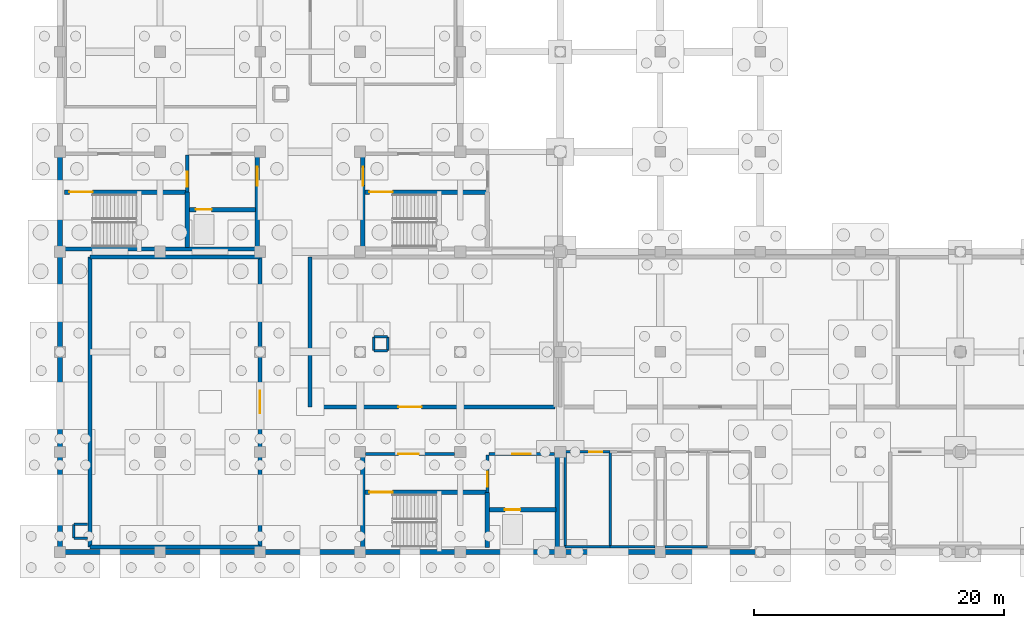
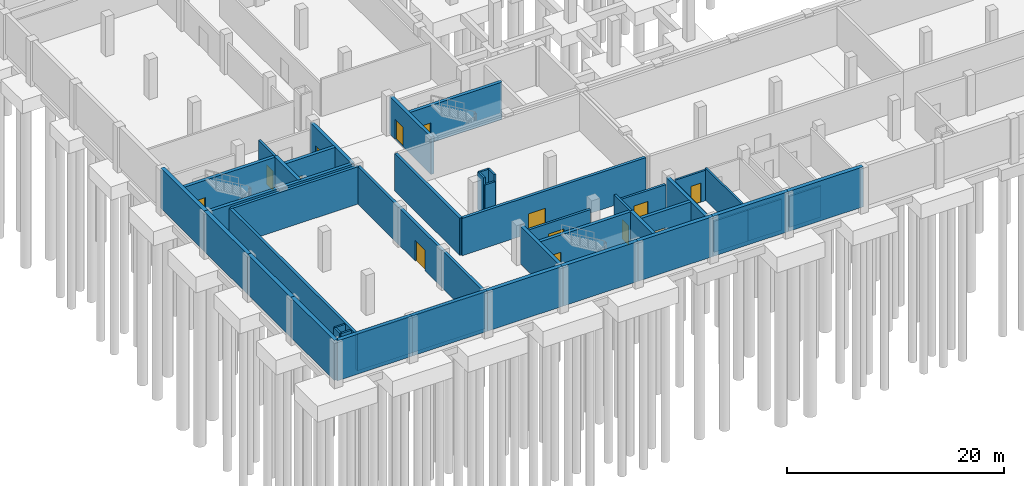
# One storey, part 12 of 26: 46 walls, 14 doors, 14 openings.
"""IFC4 building model written with IfcOpenShell, lengths in metres."""

from ifc_helpers import new_model, si_unit, direction, frame, frame_2d, origin, place, context, subcontext, project, spatial, rectangle, extrude, material, layer, layer_set, type_object, element, fill, save


model = new_model("IFC4")

# Units and contexts
model_context = context("Model", 3, precision=1e-05, world=origin(), true_north=direction((0.0, 1.0)))
body_context = subcontext(model_context, "Body", "Model", "MODEL_VIEW")
ifc_project = project(units=[si_unit("LENGTHUNIT", "METRE"), si_unit("AREAUNIT", "SQUARE_METRE"), si_unit("VOLUMEUNIT", "CUBIC_METRE"), si_unit("PLANEANGLEUNIT", "RADIAN"), si_unit("MASSUNIT", "GRAM", prefix="KILO")], contexts=[model_context])

# Site, building, storey
site_placement = place(None, origin())
site = spatial("IfcSite", under=ifc_project, at=site_placement, CompositionType="ELEMENT")
building_placement = place(site_placement, origin())
building = spatial("IfcBuilding", under=site, at=building_placement, Name="Qorikala Patio Media Centre", CompositionType="ELEMENT")
storey_placement = place(building_placement, frame((0.0, 0.0, -4.5)))
storey = spatial("IfcBuildingStorey", under=building, at=storey_placement, Name="B1", CompositionType="ELEMENT", Elevation=-4.5)

# Wall
ifc_material_1 = material(Name="Concrete C35/45", Category="concrete")
ifc_layer_1 = layer(ifc_material_1, 0.300048828125)
ifc_layer_set_1 = layer_set([ifc_layer_1], Name="Concrete C35/45")
wall_type_1 = type_object("IfcWallType", Name="WL-AC-300", PredefinedType="SHEAR", material=ifc_layer_set_1)
wall_1_placement = place(storey_placement, frame((5.39990234375, 3.39990234375, 0.0), z_axis=(0.0, 0.0, 1.0), x_axis=(1.0, 0.0, 0.0)))
element("IfcWall", 1, at=wall_1_placement, inside=storey, type_object=wall_type_1, Name="B1 Interior Wall WINT-B1-VLT1-S", PredefinedType="SHEAR", context=body_context, shape_type="SweptSolid", body=[
    extrude(rectangle(XDim=13.60009765625, YDim=0.300048828125, at=frame_2d((6.800048828125, 0.0))), origin(), (0.0, 0.0, 1.0), 4.199951171875),
])

# Wall, opening, door
wall_2_placement = place(storey_placement, frame((19.0, 3.39990234375, 0.0), z_axis=(0.0, 0.0, 1.0), x_axis=(0.0, 1.0, 0.0)))
wall_2 = element("IfcWall", 2, at=wall_2_placement, inside=storey, type_object=wall_type_1, Name="B1 Interior Wall WINT-B1-VLT1-E", PredefinedType="SHEAR", context=body_context, shape_type="SweptSolid", body=[
    extrude(rectangle(XDim=23.2001953125, YDim=0.300048828125, at=frame_2d((11.60009765625, 0.0))), origin(), (0.0, 0.0, 1.0), 4.199951171875),
])
opening_1_placement = place(wall_2_placement, frame((10.699951171875, 0.0, 0.0)))
opening_1 = element("IfcOpeningElement", 3, at=opening_1_placement, cuts=wall_2, Name="Opening D212", PredefinedType="OPENING", context=body_context, shape_type="SweptSolid", body=[
    extrude(rectangle(XDim=1.800048828125, YDim=2.300048828125, at=frame_2d((0.89990234375, 1.14990234375))), frame((0.0, 0.159912109375, 0.0), z_axis=(0.0, -1.0, 0.0), x_axis=(1.0, 0.0, 0.0)), (0.0, 0.0, 1.0), 0.320068359375),
])
ifc_material_2 = material(Name="Powder-Coated Acoustic Fire Steel", Category="steel")
door_type_1 = type_object("IfcDoorType", Name="DR-FD90-180X230", OperationType="DOUBLE_DOOR_SINGLE_SWING", PredefinedType="DOOR", material=ifc_material_2)
door_1_placement = place(opening_1_placement, origin())
door_1 = element("IfcDoor", 4, at=door_1_placement, inside=storey, type_object=door_type_1, Name="Cold Acetate Film Archive Vault Door 001", OperationType="DOUBLE_DOOR_SINGLE_SWING", OverallHeight=2.300048828125, OverallWidth=1.800048828125, PredefinedType="DOOR", context=body_context, shape_type="SweptSolid", body=[
    extrude(rectangle(XDim=1.800048828125, YDim=2.300048828125, at=frame_2d((0.89990234375, 1.14990234375))), frame((0.0, 0.02490234375, 0.0), z_axis=(0.0, -1.0, 0.0), x_axis=(1.0, 0.0, 0.0)), (0.0, 0.0, 1.0), 0.050048828125),
])
fill(opening_1, door_1)

# Walls
wall_3_placement = place(storey_placement, frame((5.39990234375, 26.60009765625, 0.0), z_axis=(0.0, 0.0, 1.0), x_axis=(1.0, 0.0, 0.0)))
element("IfcWall", 5, at=wall_3_placement, inside=storey, type_object=wall_type_1, Name="B1 Interior Wall WINT-B1-VLT1-N", PredefinedType="SHEAR", context=body_context, shape_type="SweptSolid", body=[
    extrude(rectangle(XDim=13.60009765625, YDim=0.300048828125, at=frame_2d((6.800048828125, 0.0))), origin(), (0.0, 0.0, 1.0), 4.199951171875),
])
wall_4_placement = place(storey_placement, frame((5.39990234375, 3.39990234375, 0.0), z_axis=(0.0, 0.0, 1.0), x_axis=(0.0, 1.0, 0.0)))
element("IfcWall", 6, at=wall_4_placement, inside=storey, type_object=wall_type_1, Name="B1 Interior Wall WINT-B1-VLT1-W", PredefinedType="SHEAR", context=body_context, shape_type="SweptSolid", body=[
    extrude(rectangle(XDim=23.2001953125, YDim=0.300048828125, at=frame_2d((11.60009765625, 0.0))), origin(), (0.0, 0.0, 1.0), 4.199951171875),
])

# Wall, opening, door
wall_5_placement = place(storey_placement, frame((23.0, 14.60009765625, 0.0), z_axis=(0.0, 0.0, 1.0), x_axis=(1.0, 0.0, 0.0)))
wall_5 = element("IfcWall", 7, at=wall_5_placement, inside=storey, type_object=wall_type_1, Name="B1 Interior Wall WINT-B1-VLT2-S", PredefinedType="SHEAR", context=body_context, shape_type="SweptSolid", body=[
    extrude(rectangle(XDim=19.60009765625, YDim=0.300048828125, at=frame_2d((9.800048828125, 0.0))), origin(), (0.0, 0.0, 1.0), 4.199951171875),
])
opening_2_placement = place(wall_5_placement, frame((7.06494140625, 0.0, 0.0)))
opening_2 = element("IfcOpeningElement", 8, at=opening_2_placement, cuts=wall_5, Name="Opening D213", PredefinedType="OPENING", context=body_context, shape_type="SweptSolid", body=[
    extrude(rectangle(XDim=1.85009765625, YDim=2.25, at=frame_2d((0.925048828125, 1.125))), frame((0.0, 0.159912109375, 0.0), z_axis=(0.0, -1.0, 0.0), x_axis=(1.0, 0.0, 0.0)), (0.0, 0.0, 1.0), 0.320068359375),
])
door_type_2 = type_object("IfcDoorType", Name="DR-FD60-185X225", OperationType="DOUBLE_DOOR_SINGLE_SWING", PredefinedType="DOOR", material=ifc_material_2)
door_2_placement = place(opening_2_placement, origin())
door_2 = element("IfcDoor", 9, at=door_2_placement, inside=storey, type_object=door_type_2, Name="Polyester and Magnetic Media Archive Vault Door 002", OperationType="DOUBLE_DOOR_SINGLE_SWING", OverallHeight=2.25, OverallWidth=1.85009765625, PredefinedType="DOOR", context=body_context, shape_type="SweptSolid", body=[
    extrude(rectangle(XDim=1.85009765625, YDim=2.25, at=frame_2d((0.925048828125, 1.125))), frame((0.0, 0.02490234375, 0.0), z_axis=(0.0, -1.0, 0.0), x_axis=(1.0, 0.0, 0.0)), (0.0, 0.0, 1.0), 0.050048828125),
])
fill(opening_2, door_2)

# Walls
wall_6_placement = place(storey_placement, frame((23.0, 14.60009765625, 0.0), z_axis=(0.0, 0.0, 1.0), x_axis=(0.0, 1.0, 0.0)))
element("IfcWall", 10, at=wall_6_placement, inside=storey, type_object=wall_type_1, Name="B1 Interior Wall WINT-B1-VLT2-W", PredefinedType="SHEAR", context=body_context, shape_type="SweptSolid", body=[
    extrude(rectangle(XDim=12.0, YDim=0.300048828125, at=frame_2d((6.0, 0.0))), origin(), (0.0, 0.0, 1.0), 4.199951171875),
])
ifc_layer_2 = layer(ifc_material_1, 0.35009765625)
ifc_layer_set_2 = layer_set([ifc_layer_2], Name="Concrete C35/45")
wall_type_2 = type_object("IfcWallType", Name="WL-CORE-350", PredefinedType="SHEAR", material=ifc_layer_set_2)
wall_7_placement = place(storey_placement, frame((27.22509765625, 3.199951171875, 0.0), z_axis=(0.0, 0.0, 1.0), x_axis=(0.0, 1.0, 0.0)))
element("IfcWall", 11, at=wall_7_placement, inside=storey, type_object=wall_type_2, Name="B1 Interior Wall CW-B1-C1-SW", PredefinedType="SHEAR", context=body_context, shape_type="SweptSolid", body=[
    extrude(rectangle(XDim=7.60009765625, YDim=0.35009765625, at=frame_2d((3.800048828125, 0.0))), origin(), (0.0, 0.0, 1.0), 4.199951171875),
])
wall_8_placement = place(storey_placement, frame((37.175048828125, 3.35009765625, 0.0), z_axis=(0.0, 0.0, 1.0), x_axis=(0.0, 1.0, 0.0)))
element("IfcWall", 12, at=wall_8_placement, inside=storey, type_object=wall_type_2, Name="B1 Interior Wall CW-B1-C1-SE", PredefinedType="SHEAR", context=body_context, shape_type="SweptSolid", body=[
    extrude(rectangle(XDim=4.4248046875, YDim=0.35009765625, at=frame_2d((2.21240234375, 0.0))), origin(), (0.0, 0.0, 1.0), 4.199951171875),
])
wall_9_placement = place(storey_placement, frame((42.77490234375, 3.199951171875, 0.0), z_axis=(0.0, 0.0, 1.0), x_axis=(0.0, 1.0, 0.0)))
element("IfcWall", 13, at=wall_9_placement, inside=storey, type_object=wall_type_2, Name="B1 Interior Wall CW-B1-C1-EE", PredefinedType="SHEAR", context=body_context, shape_type="SweptSolid", body=[
    extrude(rectangle(XDim=7.60009765625, YDim=0.35009765625, at=frame_2d((3.800048828125, 0.0))), origin(), (0.0, 0.0, 1.0), 4.199951171875),
])

# Wall, opening, door
wall_10_placement = place(storey_placement, frame((27.35009765625, 7.77490234375, 0.0), z_axis=(0.0, 0.0, 1.0), x_axis=(1.0, 0.0, 0.0)))
wall_10 = element("IfcWall", 14, at=wall_10_placement, inside=storey, type_object=wall_type_2, Name="B1 Interior Wall CW-B1-C1-SN", PredefinedType="SHEAR", context=body_context, shape_type="SweptSolid", body=[
    extrude(rectangle(XDim=9.824951171875, YDim=0.35009765625, at=frame_2d((4.91259765625, 0.0))), origin(), (0.0, 0.0, 1.0), 4.199951171875),
])
opening_3_placement = place(wall_10_placement, frame((0.39990234375, 0.0, 0.0)))
opening_3 = element("IfcOpeningElement", 15, at=opening_3_placement, cuts=wall_10, Name="Opening D023", PredefinedType="OPENING", context=body_context, shape_type="SweptSolid", body=[
    extrude(rectangle(XDim=1.85009765625, YDim=2.25, at=frame_2d((0.925048828125, 1.125))), frame((0.0, 0.18505859375, 0.0), z_axis=(0.0, -1.0, 0.0), x_axis=(1.0, 0.0, 0.0)), (0.0, 0.0, 1.0), 0.3701171875),
])
door_3_placement = place(opening_3_placement, origin())
door_3 = element("IfcDoor", 16, at=door_3_placement, inside=storey, type_object=door_type_2, Name="B1 Stair ST-1 Fire Door", OperationType="DOUBLE_DOOR_SINGLE_SWING", OverallHeight=2.25, OverallWidth=1.85009765625, PredefinedType="DOOR", context=body_context, shape_type="SweptSolid", body=[
    extrude(rectangle(XDim=1.85009765625, YDim=2.25, at=frame_2d((0.925048828125, 1.125))), frame((0.0, 0.02490234375, 0.0), z_axis=(0.0, -1.0, 0.0), x_axis=(1.0, 0.0, 0.0)), (0.0, 0.0, 1.0), 0.050048828125),
])
fill(opening_3, door_3)

wall_11_placement = place(storey_placement, frame((37.175048828125, 6.375, 0.0), z_axis=(0.0, 0.0, 1.0), x_axis=(1.0, 0.0, 0.0)))
wall_11 = element("IfcWall", 17, at=wall_11_placement, inside=storey, type_object=wall_type_2, Name="B1 Interior Wall CW-B1-C1-LFN", PredefinedType="SHEAR", context=body_context, shape_type="SweptSolid", body=[
    extrude(rectangle(XDim=5.474853515625, YDim=0.35009765625, at=frame_2d((2.7373046875, 0.0))), origin(), (0.0, 0.0, 1.0), 4.199951171875),
])
opening_4_placement = place(wall_11_placement, frame((1.39990234375, 0.0, 0.0)))
opening_4 = element("IfcOpeningElement", 18, at=opening_4_placement, cuts=wall_11, Name="Opening LD01", PredefinedType="OPENING", context=body_context, shape_type="SweptSolid", body=[
    extrude(rectangle(XDim=1.25, YDim=2.25, at=frame_2d((0.625, 1.125))), frame((0.0, 0.18505859375, 0.0), z_axis=(0.0, -1.0, 0.0), x_axis=(1.0, 0.0, 0.0)), (0.0, 0.0, 1.0), 0.3701171875),
])
ifc_material_3 = material(Name="Brushed Bronze Stainless Steel", Category="steel")
door_type_3 = type_object("IfcDoorType", Name="DR-LD-125X225", OperationType="DOUBLE_DOOR_SLIDING", PredefinedType="DOOR", material=ifc_material_3)
door_4_placement = place(opening_4_placement, origin())
door_4 = element("IfcDoor", 19, at=door_4_placement, inside=storey, type_object=door_type_3, Name="B1 Lift LF-01 Sliding Landing Door", OperationType="DOUBLE_DOOR_SLIDING", OverallHeight=2.25, OverallWidth=1.25, PredefinedType="DOOR", context=body_context, shape_type="SweptSolid", body=[
    extrude(rectangle(XDim=1.25, YDim=2.25, at=frame_2d((0.625, 1.125))), frame((0.0, 0.02490234375, 0.0), z_axis=(0.0, -1.0, 0.0), x_axis=(1.0, 0.0, 0.0)), (0.0, 0.0, 1.0), 0.050048828125),
])
fill(opening_4, door_4)

# Walls
wall_12_placement = place(storey_placement, frame((3.199951171875, 27.22509765625, 0.0), z_axis=(0.0, 0.0, 1.0), x_axis=(1.0, 0.0, 0.0)))
element("IfcWall", 20, at=wall_12_placement, inside=storey, type_object=wall_type_2, Name="B1 Core C2 Stair South Wall", PredefinedType="SHEAR", context=body_context, shape_type="SweptSolid", body=[
    extrude(rectangle(XDim=15.60009765625, YDim=0.35009765625, at=frame_2d((7.800048828125, 0.0))), origin(), (0.0, 0.0, 1.0), 4.199951171875),
])
wall_13_placement = place(storey_placement, frame((13.175048828125, 27.35009765625, 0.0), z_axis=(0.0, 0.0, 1.0), x_axis=(0.0, 1.0, 0.0)))
element("IfcWall", 21, at=wall_13_placement, inside=storey, type_object=wall_type_2, Name="B1 Interior Wall CW-B1-C2-SE", PredefinedType="SHEAR", context=body_context, shape_type="SweptSolid", body=[
    extrude(rectangle(XDim=4.4248046875, YDim=0.35009765625, at=frame_2d((2.21240234375, 0.0))), origin(), (0.0, 0.0, 1.0), 4.199951171875),
])

# Wall, opening, door
wall_14_placement = place(storey_placement, frame((18.77490234375, 27.199951171875, 0.0), z_axis=(0.0, 0.0, 1.0), x_axis=(0.0, 1.0, 0.0)))
wall_14 = element("IfcWall", 22, at=wall_14_placement, inside=storey, type_object=wall_type_2, Name="B1 Interior Wall CW-B1-C2-EE", PredefinedType="SHEAR", context=body_context, shape_type="SweptSolid", body=[
    extrude(rectangle(XDim=7.60009765625, YDim=0.35009765625, at=frame_2d((3.800048828125, 0.0))), origin(), (0.0, 0.0, 1.0), 4.199951171875),
])
opening_5_placement = place(wall_14_placement, frame((5.10009765625, 0.0, 0.0)))
opening_5 = element("IfcOpeningElement", 23, at=opening_5_placement, cuts=wall_14, Name="Opening D059", PredefinedType="OPENING", context=body_context, shape_type="SweptSolid", body=[
    extrude(rectangle(XDim=1.5, YDim=2.199951171875, at=frame_2d((0.75, 1.10009765625))), frame((0.0, 0.18505859375, 0.0), z_axis=(0.0, -1.0, 0.0), x_axis=(1.0, 0.0, 0.0)), (0.0, 0.0, 1.0), 0.3701171875),
])
door_type_4 = type_object("IfcDoorType", Name="DR-FD60-150X220", OperationType="DOUBLE_DOOR_SINGLE_SWING", PredefinedType="DOOR", material=ifc_material_2)
door_5_placement = place(opening_5_placement, origin())
door_5 = element("IfcDoor", 24, at=door_5_placement, inside=storey, type_object=door_type_4, Name="B1 Core C2 East Corridor Fire Door", OperationType="DOUBLE_DOOR_SINGLE_SWING", OverallHeight=2.199951171875, OverallWidth=1.5, PredefinedType="DOOR", context=body_context, shape_type="SweptSolid", body=[
    extrude(rectangle(XDim=1.5, YDim=2.199951171875, at=frame_2d((0.75, 1.10009765625))), frame((0.0, 0.02490234375, 0.0), z_axis=(0.0, -1.0, 0.0), x_axis=(1.0, 0.0, 0.0)), (0.0, 0.0, 1.0), 0.050048828125),
])
fill(opening_5, door_5)

wall_15_placement = place(storey_placement, frame((3.35009765625, 31.77490234375, 0.0), z_axis=(0.0, 0.0, 1.0), x_axis=(1.0, 0.0, 0.0)))
wall_15 = element("IfcWall", 25, at=wall_15_placement, inside=storey, type_object=wall_type_2, Name="B1 Interior Wall CW-B1-C2-SN", PredefinedType="SHEAR", context=body_context, shape_type="SweptSolid", body=[
    extrude(rectangle(XDim=9.824951171875, YDim=0.35009765625, at=frame_2d((4.91259765625, 0.0))), origin(), (0.0, 0.0, 1.0), 4.199951171875),
])
opening_6_placement = place(wall_15_placement, frame((0.39990234375, 0.0, 0.0)))
opening_6 = element("IfcOpeningElement", 26, at=opening_6_placement, cuts=wall_15, Name="Opening D055", PredefinedType="OPENING", context=body_context, shape_type="SweptSolid", body=[
    extrude(rectangle(XDim=1.85009765625, YDim=2.25, at=frame_2d((0.925048828125, 1.125))), frame((0.0, 0.18505859375, 0.0), z_axis=(0.0, -1.0, 0.0), x_axis=(1.0, 0.0, 0.0)), (0.0, 0.0, 1.0), 0.3701171875),
])
door_6_placement = place(opening_6_placement, origin())
door_6 = element("IfcDoor", 27, at=door_6_placement, inside=storey, type_object=door_type_2, Name="B1 Stair ST-2 Fire Door", OperationType="DOUBLE_DOOR_SINGLE_SWING", OverallHeight=2.25, OverallWidth=1.85009765625, PredefinedType="DOOR", context=body_context, shape_type="SweptSolid", body=[
    extrude(rectangle(XDim=1.85009765625, YDim=2.25, at=frame_2d((0.925048828125, 1.125))), frame((0.0, 0.02490234375, 0.0), z_axis=(0.0, -1.0, 0.0), x_axis=(1.0, 0.0, 0.0)), (0.0, 0.0, 1.0), 0.050048828125),
])
fill(opening_6, door_6)

wall_16_placement = place(storey_placement, frame((13.175048828125, 30.375, 0.0), z_axis=(0.0, 0.0, 1.0), x_axis=(1.0, 0.0, 0.0)))
wall_16 = element("IfcWall", 28, at=wall_16_placement, inside=storey, type_object=wall_type_2, Name="B1 Interior Wall CW-B1-C2-LFN", PredefinedType="SHEAR", context=body_context, shape_type="SweptSolid", body=[
    extrude(rectangle(XDim=5.474853515625, YDim=0.35009765625, at=frame_2d((2.7373046875, 0.0))), origin(), (0.0, 0.0, 1.0), 4.199951171875),
])
opening_7_placement = place(wall_16_placement, frame((0.699951171875, 0.0, 0.0)))
opening_7 = element("IfcOpeningElement", 29, at=opening_7_placement, cuts=wall_16, Name="Opening LD09", PredefinedType="OPENING", context=body_context, shape_type="SweptSolid", body=[
    extrude(rectangle(XDim=1.25, YDim=2.25, at=frame_2d((0.625, 1.125))), frame((0.0, 0.18505859375, 0.0), z_axis=(0.0, -1.0, 0.0), x_axis=(1.0, 0.0, 0.0)), (0.0, 0.0, 1.0), 0.3701171875),
])
door_7_placement = place(opening_7_placement, origin())
door_7 = element("IfcDoor", 30, at=door_7_placement, inside=storey, type_object=door_type_3, Name="B1 Lift LF-02 Sliding Landing Door", OperationType="DOUBLE_DOOR_SLIDING", OverallHeight=2.25, OverallWidth=1.25, PredefinedType="DOOR", context=body_context, shape_type="SweptSolid", body=[
    extrude(rectangle(XDim=1.25, YDim=2.25, at=frame_2d((0.625, 1.125))), frame((0.0, 0.02490234375, 0.0), z_axis=(0.0, -1.0, 0.0), x_axis=(1.0, 0.0, 0.0)), (0.0, 0.0, 1.0), 0.050048828125),
])
fill(opening_7, door_7)

wall_17_placement = place(storey_placement, frame((27.22509765625, 27.199951171875, 0.0), z_axis=(0.0, 0.0, 1.0), x_axis=(0.0, 1.0, 0.0)))
wall_17 = element("IfcWall", 31, at=wall_17_placement, inside=storey, type_object=wall_type_2, Name="B1 Interior Wall CW-B1-C5-SW", PredefinedType="SHEAR", context=body_context, shape_type="SweptSolid", body=[
    extrude(rectangle(XDim=7.60009765625, YDim=0.35009765625, at=frame_2d((3.800048828125, 0.0))), origin(), (0.0, 0.0, 1.0), 4.199951171875),
])
opening_8_placement = place(wall_17_placement, frame((5.10009765625, 0.0, 0.0)))
opening_8 = element("IfcOpeningElement", 32, at=opening_8_placement, cuts=wall_17, Name="Opening D146", PredefinedType="OPENING", context=body_context, shape_type="SweptSolid", body=[
    extrude(rectangle(XDim=1.5, YDim=2.199951171875, at=frame_2d((0.75, 1.10009765625))), frame((0.0, 0.18505859375, 0.0), z_axis=(0.0, -1.0, 0.0), x_axis=(1.0, 0.0, 0.0)), (0.0, 0.0, 1.0), 0.3701171875),
])
door_8_placement = place(opening_8_placement, origin())
door_8 = element("IfcDoor", 33, at=door_8_placement, inside=storey, type_object=door_type_4, Name="B1 Core C5 West Corridor Fire Door", OperationType="DOUBLE_DOOR_SINGLE_SWING", OverallHeight=2.199951171875, OverallWidth=1.5, PredefinedType="DOOR", context=body_context, shape_type="SweptSolid", body=[
    extrude(rectangle(XDim=1.5, YDim=2.199951171875, at=frame_2d((0.75, 1.10009765625))), frame((0.0, 0.02490234375, 0.0), z_axis=(0.0, -1.0, 0.0), x_axis=(1.0, 0.0, 0.0)), (0.0, 0.0, 1.0), 0.050048828125),
])
fill(opening_8, door_8)

wall_18_placement = place(storey_placement, frame((27.35009765625, 31.77490234375, 0.0), z_axis=(0.0, 0.0, 1.0), x_axis=(1.0, 0.0, 0.0)))
wall_18 = element("IfcWall", 34, at=wall_18_placement, inside=storey, type_object=wall_type_2, Name="B1 Interior Wall CW-B1-C5-SN", PredefinedType="SHEAR", context=body_context, shape_type="SweptSolid", body=[
    extrude(rectangle(XDim=9.824951171875, YDim=0.35009765625, at=frame_2d((4.91259765625, 0.0))), origin(), (0.0, 0.0, 1.0), 4.199951171875),
])
opening_9_placement = place(wall_18_placement, frame((0.39990234375, 0.0, 0.0)))
opening_9 = element("IfcOpeningElement", 35, at=opening_9_placement, cuts=wall_18, Name="Opening D143", PredefinedType="OPENING", context=body_context, shape_type="SweptSolid", body=[
    extrude(rectangle(XDim=1.85009765625, YDim=2.25, at=frame_2d((0.925048828125, 1.125))), frame((0.0, 0.18505859375, 0.0), z_axis=(0.0, -1.0, 0.0), x_axis=(1.0, 0.0, 0.0)), (0.0, 0.0, 1.0), 0.3701171875),
])
door_9_placement = place(opening_9_placement, origin())
door_9 = element("IfcDoor", 36, at=door_9_placement, inside=storey, type_object=door_type_2, Name="B1 Stair ST-5 Fire Door", OperationType="DOUBLE_DOOR_SINGLE_SWING", OverallHeight=2.25, OverallWidth=1.85009765625, PredefinedType="DOOR", context=body_context, shape_type="SweptSolid", body=[
    extrude(rectangle(XDim=1.85009765625, YDim=2.25, at=frame_2d((0.925048828125, 1.125))), frame((0.0, 0.02490234375, 0.0), z_axis=(0.0, -1.0, 0.0), x_axis=(1.0, 0.0, 0.0)), (0.0, 0.0, 1.0), 0.050048828125),
])
fill(opening_9, door_9)

ifc_layer_3 = layer(ifc_material_1, 0.25)
ifc_layer_set_3 = layer_set([ifc_layer_3], Name="Concrete C35/45")
wall_type_3 = type_object("IfcWallType", Name="WL-FFL-250", PredefinedType="PARTITIONING", material=ifc_layer_set_3)
wall_19_placement = place(storey_placement, frame((37.175048828125, 7.77490234375, 0.0), z_axis=(0.0, 0.0, 1.0), x_axis=(0.0, 1.0, 0.0)))
wall_19 = element("IfcWall", 37, at=wall_19_placement, inside=storey, type_object=wall_type_3, Name="B1 Interior Wall CW-B1-C1-LBD", PredefinedType="PARTITIONING", context=body_context, shape_type="SweptSolid", body=[
    extrude(rectangle(XDim=2.97509765625, YDim=0.25, at=frame_2d((1.487548828125, 0.0))), origin(), (0.0, 0.0, 1.0), 4.199951171875),
])
opening_10_placement = place(wall_19_placement, frame((0.449951171875, 0.0, 0.0)))
opening_10 = element("IfcOpeningElement", 38, at=opening_10_placement, cuts=wall_19, Name="Opening D024", PredefinedType="OPENING", context=body_context, shape_type="SweptSolid", body=[
    extrude(rectangle(XDim=1.199951171875, YDim=2.199951171875, at=frame_2d((0.60009765625, 1.10009765625))), frame((0.0, 0.135009765625, 0.0), z_axis=(0.0, -1.0, 0.0), x_axis=(1.0, 0.0, 0.0)), (0.0, 0.0, 1.0), 0.27001953125),
])
ifc_material_4 = material(Name="Acoustic Fire Timber and Steel", Category="steel")
door_type_5 = type_object("IfcDoorType", Name="DR-FD60-120X220", OperationType="NOTDEFINED", PredefinedType="DOOR", material=ifc_material_4)
door_10_placement = place(opening_10_placement, origin())
door_10 = element("IfcDoor", 39, at=door_10_placement, inside=storey, type_object=door_type_5, Name="B1 Core C1 Firefighting Lobby Cross Door", OperationType="SINGLE_SWING_LEFT", OverallHeight=2.199951171875, OverallWidth=1.199951171875, PredefinedType="DOOR", context=body_context, shape_type="SweptSolid", body=[
    extrude(rectangle(XDim=1.199951171875, YDim=2.199951171875, at=frame_2d((0.60009765625, 1.10009765625))), frame((0.0, 0.02490234375, 0.0), z_axis=(0.0, -1.0, 0.0), x_axis=(1.0, 0.0, 0.0)), (0.0, 0.0, 1.0), 0.050048828125),
])
fill(opening_10, door_10)

wall_20_placement = place(storey_placement, frame((27.449951171875, 10.85009765625, 0.0), z_axis=(0.0, 0.0, 1.0), x_axis=(1.0, 0.0, 0.0)))
wall_20 = element("IfcWall", 40, at=wall_20_placement, inside=storey, type_object=wall_type_3, Name="B1 Interior Wall CW-B1-C1-CN1", PredefinedType="PARTITIONING", context=body_context, shape_type="SweptSolid", body=[
    extrude(rectangle(XDim=7.10009765625, YDim=0.25, at=frame_2d((3.550048828125, 0.0))), origin(), (0.0, 0.0, 1.0), 3.43505859375),
])
opening_11_placement = place(wall_20_placement, frame((2.60009765625, 0.0, 0.0)))
opening_11 = element("IfcOpeningElement", 41, at=opening_11_placement, cuts=wall_20, Name="Opening D025", PredefinedType="OPENING", context=body_context, shape_type="SweptSolid", body=[
    extrude(rectangle(XDim=1.64990234375, YDim=2.25, at=frame_2d((0.824951171875, 1.125))), frame((0.0, 0.135009765625, 0.0), z_axis=(0.0, -1.0, 0.0), x_axis=(1.0, 0.0, 0.0)), (0.0, 0.0, 1.0), 0.27001953125),
])
door_type_6 = type_object("IfcDoorType", Name="DR-FD60-165X225", OperationType="DOUBLE_DOOR_SINGLE_SWING", PredefinedType="DOOR", material=ifc_material_2)
door_11_placement = place(opening_11_placement, frame((1.64990234375, 0.0, 0.0), z_axis=(0.0, 0.0, 1.0), x_axis=(-1.0, 0.0, 0.0)))
door_11 = element("IfcDoor", 42, at=door_11_placement, inside=storey, type_object=door_type_6, Name="B1 Core C1 Vestibule Door", OperationType="DOUBLE_DOOR_SINGLE_SWING", OverallHeight=2.25, OverallWidth=1.64990234375, PredefinedType="DOOR", context=body_context, shape_type="SweptSolid", body=[
    extrude(rectangle(XDim=1.64990234375, YDim=2.25, at=frame_2d((0.824951171875, 1.125))), frame((0.0, 0.02490234375, 0.0), z_axis=(0.0, -1.0, 0.0), x_axis=(1.0, 0.0, 0.0)), (0.0, 0.0, 1.0), 0.050048828125),
])
fill(opening_11, door_11)

wall_21_placement = place(storey_placement, frame((37.300048828125, 10.85009765625, 0.0), z_axis=(0.0, 0.0, 1.0), x_axis=(1.0, 0.0, 0.0)))
wall_21 = element("IfcWall", 43, at=wall_21_placement, inside=storey, type_object=wall_type_3, Name="B1 Interior Wall CW-B1-C1-CN2", PredefinedType="PARTITIONING", context=body_context, shape_type="SweptSolid", body=[
    extrude(rectangle(XDim=5.25, YDim=0.25, at=frame_2d((2.625, 0.0))), origin(), (0.0, 0.0, 1.0), 3.43505859375),
])
opening_12_placement = place(wall_21_placement, frame((1.85009765625, 0.0, 0.0)))
opening_12 = element("IfcOpeningElement", 44, at=opening_12_placement, cuts=wall_21, Name="Opening D026", PredefinedType="OPENING", context=body_context, shape_type="SweptSolid", body=[
    extrude(rectangle(XDim=1.5, YDim=2.199951171875, at=frame_2d((0.75, 1.10009765625))), frame((0.0, 0.135009765625, 0.0), z_axis=(0.0, -1.0, 0.0), x_axis=(1.0, 0.0, 0.0)), (0.0, 0.0, 1.0), 0.27001953125),
])
door_12_placement = place(opening_12_placement, origin())
door_12 = element("IfcDoor", 45, at=door_12_placement, inside=storey, type_object=door_type_4, Name="B1 Core C1 Firefighting Lobby Door", OperationType="DOUBLE_DOOR_SINGLE_SWING", OverallHeight=2.199951171875, OverallWidth=1.5, PredefinedType="DOOR", context=body_context, shape_type="SweptSolid", body=[
    extrude(rectangle(XDim=1.5, YDim=2.199951171875, at=frame_2d((0.75, 1.10009765625))), frame((0.0, 0.02490234375, 0.0), z_axis=(0.0, -1.0, 0.0), x_axis=(1.0, 0.0, 0.0)), (0.0, 0.0, 1.0), 0.050048828125),
])
fill(opening_12, door_12)

wall_22_placement = place(storey_placement, frame((13.175048828125, 31.77490234375, 0.0), z_axis=(0.0, 0.0, 1.0), x_axis=(0.0, 1.0, 0.0)))
wall_22 = element("IfcWall", 46, at=wall_22_placement, inside=storey, type_object=wall_type_3, Name="B1 Interior Wall CW-B1-C2-LBD", PredefinedType="PARTITIONING", context=body_context, shape_type="SweptSolid", body=[
    extrude(rectangle(XDim=2.97509765625, YDim=0.25, at=frame_2d((1.487548828125, 0.0))), origin(), (0.0, 0.0, 1.0), 4.199951171875),
])
opening_13_placement = place(wall_22_placement, frame((0.449951171875, 0.0, 0.0)))
opening_13 = element("IfcOpeningElement", 47, at=opening_13_placement, cuts=wall_22, Name="Opening D056", PredefinedType="OPENING", context=body_context, shape_type="SweptSolid", body=[
    extrude(rectangle(XDim=1.199951171875, YDim=2.199951171875, at=frame_2d((0.60009765625, 1.10009765625))), frame((0.0, 0.135009765625, 0.0), z_axis=(0.0, -1.0, 0.0), x_axis=(1.0, 0.0, 0.0)), (0.0, 0.0, 1.0), 0.27001953125),
])
door_13_placement = place(opening_13_placement, origin())
door_13 = element("IfcDoor", 48, at=door_13_placement, inside=storey, type_object=door_type_5, Name="B1 Core C2 Firefighting Lobby Cross Door", OperationType="SINGLE_SWING_LEFT", OverallHeight=2.199951171875, OverallWidth=1.199951171875, PredefinedType="DOOR", context=body_context, shape_type="SweptSolid", body=[
    extrude(rectangle(XDim=1.199951171875, YDim=2.199951171875, at=frame_2d((0.60009765625, 1.10009765625))), frame((0.0, 0.02490234375, 0.0), z_axis=(0.0, -1.0, 0.0), x_axis=(1.0, 0.0, 0.0)), (0.0, 0.0, 1.0), 0.050048828125),
])
fill(opening_13, door_13)

# Walls
ifc_material_5 = material(Name="Concrete C30/37", Category="concrete")
ifc_layer_4 = layer(ifc_material_5, 0.419921875)
ifc_layer_set_4 = layer_set([ifc_layer_4], Name="Concrete C30/37")
wall_type_4 = type_object("IfcWallType", Name="WL-RET-420", PredefinedType="USERDEFINED", material=ifc_layer_set_4)
for number, where, z_axis, x_axis, name in (
    (49, (59.0, 3.0, 0.0), (0.0, 0.0, 1.0), (-1.0, 0.0, 0.0), "B1 Perimeter Retaining Wall WL-B1-RET-029"),
    (50, (51.0, 3.0, 0.0), (0.0, 0.0, 1.0), (-1.0, 0.0, 0.0), "B1 Perimeter Retaining Wall WL-B1-RET-030"),
    (51, (43.0, 3.0, 0.0), (0.0, 0.0, 1.0), (-1.0, 0.0, 0.0), "B1 Perimeter Retaining Wall WL-B1-RET-031"),
    (52, (35.0, 3.0, 0.0), (0.0, 0.0, 1.0), (-1.0, 0.0, 0.0), "B1 Perimeter Retaining Wall WL-B1-RET-032"),
    (53, (27.0, 3.0, 0.0), (0.0, 0.0, 1.0), (-1.0, 0.0, 0.0), "B1 Perimeter Retaining Wall WL-B1-RET-033"),
    (54, (19.0, 3.0, 0.0), (0.0, 0.0, 1.0), (-1.0, 0.0, 0.0), "B1 Perimeter Retaining Wall WL-B1-RET-034"),
    (55, (11.0, 3.0, 0.0), (0.0, 0.0, 1.0), (-1.0, 0.0, 0.0), "B1 Perimeter Retaining Wall WL-B1-RET-035"),
    (56, (3.0, 3.0, 0.0), (0.0, 0.0, 1.0), (0.0, 1.0, 0.0), "B1 Perimeter Retaining Wall WL-B1-RET-036"),
    (57, (3.0, 11.0, 0.0), (0.0, 0.0, 1.0), (0.0, 1.0, 0.0), "B1 Perimeter Retaining Wall WL-B1-RET-037"),
    (58, (3.0, 19.0, 0.0), (0.0, 0.0, 1.0), (0.0, 1.0, 0.0), "B1 Perimeter Retaining Wall WL-B1-RET-038"),
    (59, (3.0, 27.0, 0.0), (0.0, 0.0, 1.0), (0.0, 1.0, 0.0), "B1 Perimeter Retaining Wall WL-B1-RET-039"),
):
    element("IfcWall", number, at=place(storey_placement, frame(where, z_axis=z_axis, x_axis=x_axis)), inside=storey, type_object=wall_type_4, Name=name, ObjectType="RETAINING WALL", PredefinedType="USERDEFINED", context=body_context, shape_type="SweptSolid", body=[
        extrude(rectangle(XDim=8.0, YDim=0.419921875, at=frame_2d((4.0, 0.0))), origin(), (0.0, 0.0, 1.0), 4.5),
    ])
ifc_material_6 = material(Name="Acoustic Masonry and Plaster Concrete C30/37", Category="masonry")
ifc_layer_5 = layer(ifc_material_6, 0.199951171875)
ifc_layer_set_5 = layer_set([ifc_layer_5], Name="Acoustic Masonry and Plaster Concrete C30/37")
wall_type_5 = type_object("IfcWallType", Name="WL-ST-200", PredefinedType="PARTITIONING", material=ifc_layer_set_5)
wall_23_placement = place(storey_placement, frame((43.39990234375, 3.39990234375, 0.0), z_axis=(0.0, 0.0, 1.0), x_axis=(1.0, 0.0, 0.0)))
element("IfcWall", 60, at=wall_23_placement, inside=storey, type_object=wall_type_5, Name="B1 Interior Wall WINT-B1-B1WMWC-S", PredefinedType="PARTITIONING", context=body_context, shape_type="SweptSolid", body=[
    extrude(rectangle(XDim=3.60009765625, YDim=0.199951171875, at=frame_2d((1.800048828125, 0.0))), origin(), (0.0, 0.0, 1.0), 3.5048828125),
])
wall_24_placement = place(storey_placement, frame((47.0, 3.39990234375, 0.0), z_axis=(0.0, 0.0, 1.0), x_axis=(0.0, 1.0, 0.0)))
element("IfcWall", 61, at=wall_24_placement, inside=storey, type_object=wall_type_5, Name="B1 Interior Wall WINT-B1-B1WMWC-E", PredefinedType="PARTITIONING", context=body_context, shape_type="SweptSolid", body=[
    extrude(rectangle(XDim=7.60009765625, YDim=0.199951171875, at=frame_2d((3.800048828125, 0.0))), origin(), (0.0, 0.0, 1.0), 3.635009765625),
])

# Wall, opening, door
wall_25_placement = place(storey_placement, frame((43.39990234375, 11.0, 0.0), z_axis=(0.0, 0.0, 1.0), x_axis=(1.0, 0.0, 0.0)))
wall_25 = element("IfcWall", 62, at=wall_25_placement, inside=storey, type_object=wall_type_5, Name="B1 Interior Wall WINT-B1-B1WMWC-N", PredefinedType="PARTITIONING", context=body_context, shape_type="SweptSolid", body=[
    extrude(rectangle(XDim=3.60009765625, YDim=0.199951171875, at=frame_2d((1.800048828125, 0.0))), origin(), (0.0, 0.0, 1.0), 3.43505859375),
])
opening_14_placement = place(wall_25_placement, frame((1.925048828125, 0.0, 0.0)))
opening_14 = element("IfcOpeningElement", 63, at=opening_14_placement, cuts=wall_25, Name="Opening D216", PredefinedType="OPENING", context=body_context, shape_type="SweptSolid", body=[
    extrude(rectangle(XDim=1.050048828125, YDim=2.159912109375, at=frame_2d((0.52490234375, 1.080078125))), frame((0.0, 0.10986328125, 0.0), z_axis=(0.0, -1.0, 0.0), x_axis=(1.0, 0.0, 0.0)), (0.0, 0.0, 1.0), 0.219970703125),
])
door_type_7 = type_object("IfcDoorType", Name="DR-FD60-105X216", OperationType="NOTDEFINED", PredefinedType="DOOR", material=ifc_material_4)
door_14_placement = place(opening_14_placement, origin())
door_14 = element("IfcDoor", 64, at=door_14_placement, inside=storey, type_object=door_type_7, Name="Male Toilet Door 005", OperationType="SINGLE_SWING_RIGHT", OverallHeight=2.159912109375, OverallWidth=1.050048828125, PredefinedType="DOOR", context=body_context, shape_type="SweptSolid", body=[
    extrude(rectangle(XDim=1.050048828125, YDim=2.159912109375, at=frame_2d((0.52490234375, 1.080078125))), frame((0.0, 0.02490234375, 0.0), z_axis=(0.0, -1.0, 0.0), x_axis=(1.0, 0.0, 0.0)), (0.0, 0.0, 1.0), 0.050048828125),
])
fill(opening_14, door_14)

# Walls
wall_26_placement = place(storey_placement, frame((43.39990234375, 3.39990234375, 0.0), z_axis=(0.0, 0.0, 1.0), x_axis=(0.0, 1.0, 0.0)))
element("IfcWall", 65, at=wall_26_placement, inside=storey, type_object=wall_type_5, Name="B1 Interior Wall WINT-B1-B1WMWC-W", PredefinedType="PARTITIONING", context=body_context, shape_type="SweptSolid", body=[
    extrude(rectangle(XDim=7.60009765625, YDim=0.199951171875, at=frame_2d((3.800048828125, 0.0))), origin(), (0.0, 0.0, 1.0), 3.485107421875),
])
wall_27_placement = place(storey_placement, frame((47.0, 3.39990234375, 0.0), z_axis=(0.0, 0.0, 1.0), x_axis=(1.0, 0.0, 0.0)))
element("IfcWall", 66, at=wall_27_placement, inside=storey, type_object=wall_type_5, Name="B1 Interior Wall WINT-B1-B1WFWC-S", PredefinedType="PARTITIONING", context=body_context, shape_type="SweptSolid", body=[
    extrude(rectangle(XDim=3.60009765625, YDim=0.199951171875, at=frame_2d((1.800048828125, 0.0))), origin(), (0.0, 0.0, 1.0), 3.5048828125),
])
wall_28_placement = place(storey_placement, frame((51.39990234375, 3.39990234375, 0.0), z_axis=(0.0, 0.0, 1.0), x_axis=(1.0, 0.0, 0.0)))
element("IfcWall", 67, at=wall_28_placement, inside=storey, type_object=wall_type_5, Name="B1 Interior Wall WINT-B1-B1WAWC-S", PredefinedType="PARTITIONING", context=body_context, shape_type="SweptSolid", body=[
    extrude(rectangle(XDim=3.400146484375, YDim=0.199951171875, at=frame_2d((1.7001953125, 0.0))), origin(), (0.0, 0.0, 1.0), 3.5048828125),
])
for number, where, z_axis, x_axis, name in (
    (68, (4.10009765625, 4.10009765625, 0.0), (0.0, 0.0, 1.0), (1.0, 0.0, 0.0), "B1 Interior Wall RSW-1-B1-S"),
    (69, (4.10009765625, 5.199951171875, 0.0), (0.0, 0.0, 1.0), (1.0, 0.0, 0.0), "B1 Interior Wall RSW-1-B1-N"),
    (70, (4.10009765625, 4.10009765625, 0.0), (0.0, 0.0, 1.0), (0.0, 1.0, 0.0), "B1 Interior Wall RSW-1-B1-W"),
):
    element("IfcWall", number, at=place(storey_placement, frame(where, z_axis=z_axis, x_axis=x_axis)), inside=storey, type_object=wall_type_5, Name=name, PredefinedType="PARTITIONING", context=body_context, shape_type="SweptSolid", body=[
        extrude(rectangle(XDim=1.099853515625, YDim=0.199951171875, at=frame_2d((0.5498046875, 0.0))), origin(), (0.0, 0.0, 1.0), 4.199951171875),
    ])
wall_29_placement = place(storey_placement, frame((28.10009765625, 19.10009765625, 0.0), z_axis=(0.0, 0.0, 1.0), x_axis=(1.0, 0.0, 0.0)))
element("IfcWall", 71, at=wall_29_placement, inside=storey, type_object=wall_type_5, Name="B1 Interior Wall RSW-4-B1-S", PredefinedType="PARTITIONING", context=body_context, shape_type="SweptSolid", body=[
    extrude(rectangle(XDim=1.099853515625, YDim=0.199951171875, at=frame_2d((0.5498046875, 0.0))), origin(), (0.0, 0.0, 1.0), 3.43505859375),
])
for number, where, z_axis, x_axis, name in (
    (72, (28.10009765625, 20.199951171875, 0.0), (0.0, 0.0, 1.0), (1.0, 0.0, 0.0), "B1 Interior Wall RSW-4-B1-N"),
    (73, (28.10009765625, 19.10009765625, 0.0), (0.0, 0.0, 1.0), (0.0, 1.0, 0.0), "B1 Interior Wall RSW-4-B1-W"),
    (74, (29.199951171875, 19.10009765625, 0.0), (0.0, 0.0, 1.0), (0.0, 1.0, 0.0), "B1 Interior Wall RSW-4-B1-E"),
):
    element("IfcWall", number, at=place(storey_placement, frame(where, z_axis=z_axis, x_axis=x_axis)), inside=storey, type_object=wall_type_5, Name=name, PredefinedType="PARTITIONING", context=body_context, shape_type="SweptSolid", body=[
        extrude(rectangle(XDim=1.099853515625, YDim=0.199951171875, at=frame_2d((0.5498046875, 0.0))), origin(), (0.0, 0.0, 1.0), 4.199951171875),
    ])

save(model, "model.ifc")
